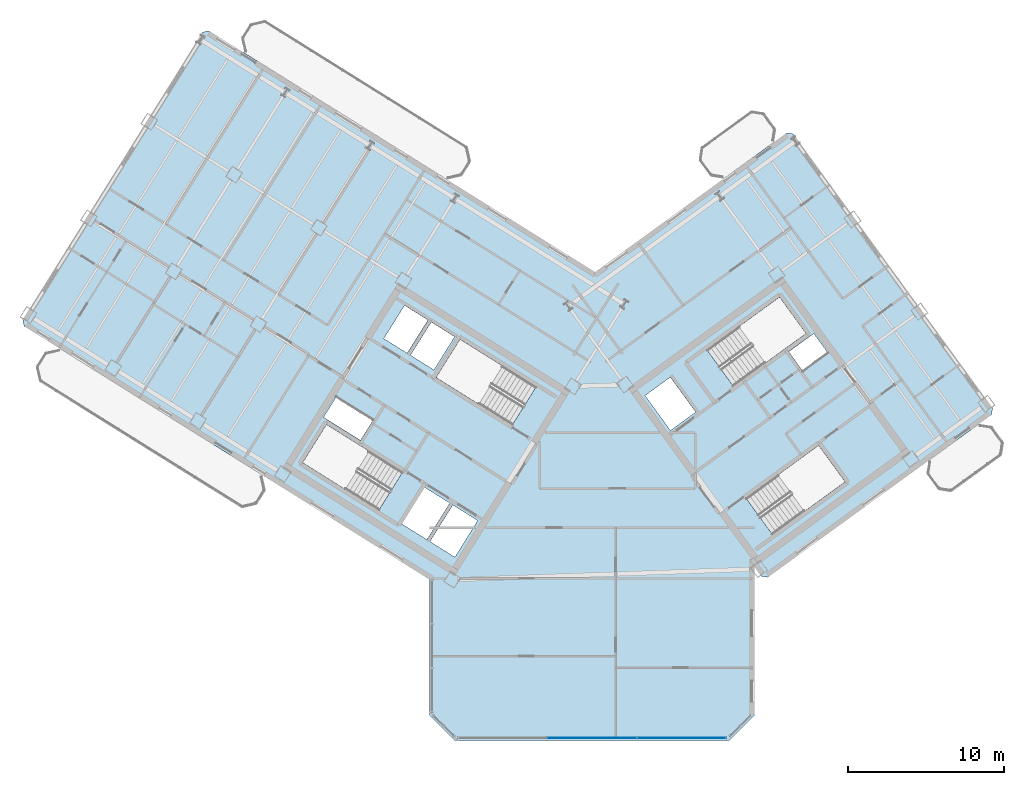
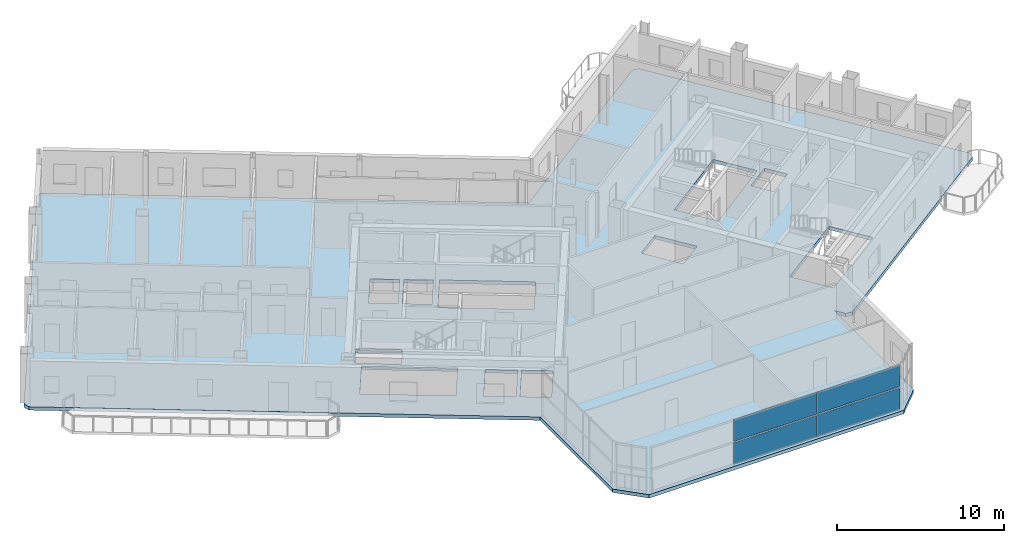
# One storey, part 9 of 20: 4 plates, 1 slab, 1 element without a shape of its own.
"""IFC4 building model written with IfcOpenShell, lengths in metres."""

from ifc_helpers import new_model, si_unit, direction, frame, origin, origin_2d, place, context, subcontext, project, spatial, polyline, rectangle, outline, extrude, source, transform, mapped, material, layer, layer_set, type_object, element, aggregate, save


model = new_model("IFC4")

# Units and contexts
model_context = context("Model", 3, precision=1e-05, world=origin(), true_north=direction((0.0, 1.0)))
body_context = subcontext(model_context, "Body", "Model", "MODEL_VIEW")
ifc_project = project(units=[si_unit("LENGTHUNIT", "METRE"), si_unit("AREAUNIT", "SQUARE_METRE"), si_unit("VOLUMEUNIT", "CUBIC_METRE"), si_unit("PLANEANGLEUNIT", "RADIAN"), si_unit("MASSUNIT", "GRAM", prefix="KILO")], contexts=[model_context])

# Site, building, storey
site_placement = place(None, origin())
site = spatial("IfcSite", under=ifc_project, at=site_placement, CompositionType="ELEMENT")
building_placement = place(site_placement, origin())
building = spatial("IfcBuilding", under=site, at=building_placement, Name="Tlacorven Tower", CompositionType="ELEMENT")
storey_placement = place(building_placement, frame((0.0, 0.0, 211.199951171875)))
storey = spatial("IfcBuildingStorey", under=building, at=storey_placement, Name="L53", CompositionType="ELEMENT", Elevation=211.199951171875)

# Slab
ifc_material_1 = material(Name="Concrete C40/50", Category="concrete")
ifc_layer_1 = layer(ifc_material_1, 0.25)
ifc_layer_set_1 = layer_set([ifc_layer_1], Name="Concrete C40/50")
slab_type = type_object("IfcSlabType", Name="SL-TWR-250", PredefinedType="FLOOR", material=ifc_layer_set_1)
slab_placement = place(storey_placement, frame((0.0, 0.0, -0.25)))
element("IfcSlab", 1, at=slab_placement, inside=storey, type_object=slab_type, Name="L53 Boomerang Tower Floor Slab", PredefinedType="FLOOR", context=body_context, shape_type="SweptSolid", body=[
    extrude(outline(polyline([(52.39990234375, 3.39990234375), (50.800048828125, 1.800048828125), (33.199951171875, 1.800048828125), (31.60009765625, 3.39990234375), (31.60009765625, 12.09423828125), (5.62451171875, 28.32568359375), (5.529052734375, 28.739013671875), (17.0390625, 47.15869140625), (17.452392578125, 47.254150390625), (42.19970703125, 31.790283203125), (54.481689453125, 40.713623046875), (54.90087890625, 40.647216796875), (67.66748046875, 23.075439453125), (67.60107421875, 22.656494140625), (53.265380859375, 12.24072265625), (52.846435546875, 12.30712890625), (52.39990234375, 12.921630859375), (52.39990234375, 3.39990234375)]), holes=[polyline([(29.865478515625, 18.979736328125), (24.9892578125, 22.02685546875), (23.463134765625, 19.58447265625), (28.33935546875, 16.537353515625), (29.865478515625, 18.979736328125)]), polyline([(38.4169921875, 24.4375), (33.540771484375, 27.484375), (32.0146484375, 25.0419921875), (36.890869140625, 21.9951171875), (38.4169921875, 24.4375)]), polyline([(51.05908203125, 24.481689453125), (55.7109375, 27.861572265625), (54.01806640625, 30.19140625), (49.3662109375, 26.811767578125), (51.05908203125, 24.481689453125)]), polyline([(53.56298828125, 14.978759765625), (58.21484375, 18.3583984375), (56.52197265625, 20.6884765625), (51.8701171875, 17.30859375), (53.56298828125, 14.978759765625)]), polyline([(34.682373046875, 15.87548828125), (33.088134765625, 16.871826171875), (31.62548828125, 14.531005859375), (33.2197265625, 13.534912109375), (34.682373046875, 15.87548828125)]), polyline([(32.884521484375, 16.9990234375), (31.2392578125, 18.02685546875), (29.77685546875, 15.686279296875), (31.421875, 14.658203125), (32.884521484375, 16.9990234375)]), polyline([(47.0234375, 21.648681640625), (48.6416015625, 22.82421875), (47.019287109375, 25.05712890625), (45.401123046875, 23.881591796875), (47.0234375, 21.648681640625)]), polyline([(33.197265625, 27.65185546875), (31.704833984375, 28.58447265625), (30.3798828125, 26.46435546875), (31.87255859375, 25.53173828125), (33.197265625, 27.65185546875)]), polyline([(31.484375, 28.722412109375), (29.99169921875, 29.655029296875), (28.6669921875, 27.534912109375), (30.159423828125, 26.602294921875), (31.484375, 28.722412109375)]), polyline([(27.96142578125, 22.2919921875), (25.603759765625, 23.76513671875), (24.80908203125, 22.4931640625), (27.16650390625, 21.02001953125), (27.96142578125, 22.2919921875)]), polyline([(55.490478515625, 25.4765625), (57.092529296875, 26.640380859375), (56.210693359375, 27.85400390625), (54.60888671875, 26.690185546875), (55.490478515625, 25.4765625)])]), origin(), (0.0, 0.0, 1.0), 0.25),
])

# Curtain wall, plates
ifc_material_2 = material(Name="Dark solar low-E double glazing in aluminium frame", Category="aluminium")
curtain_wall_type = type_object("IfcCurtainWallType", Name="CW-TWR-HIGH", PredefinedType="USERDEFINED", material=ifc_material_2)
curtain_wall_placement = place(storey_placement, origin())
curtain_wall = element("IfcCurtainWall", 2, at=curtain_wall_placement, inside=storey, type_object=curtain_wall_type, Name="L53 CW-TWR-HIGH Curtain Wall 241", ObjectType="UNITISED CURTAIN WALL", PredefinedType="USERDEFINED")
ifc_material_3 = material(Name="High-wind dark solar tempered low-E glazing", Category="glass")
ifc_layer_2 = layer(ifc_material_3, 0.028076171875)
ifc_layer_set_2 = layer_set([ifc_layer_2], Name="High-wind dark solar tempered low-E glazing")
plate_type = type_object("IfcPlateType", Name="CWP-03", PredefinedType="CURTAIN_PANEL", material=ifc_layer_set_2)
shared_shape_1 = source(origin(), body_context, "Body", "SweptSolid", [
    extrude(rectangle(XDim=5.683837890625, YDim=0.028076171875, at=origin_2d()), origin(), (0.0, 0.0, 1.0), 1.572998046875),
])
plate_1_placement = place(storey_placement, frame((47.74072265625, 1.9599609375, 0.05126953125), z_axis=(0.0, 0.0, 1.0), x_axis=(-1.0, 0.0, 0.0)))
plate_1 = element("IfcPlate", 3, at=plate_1_placement, type_object=plate_type, Name="CW-L53-241 Glazing Panel 1", PredefinedType="CURTAIN_PANEL", context=body_context, shape_type="MappedRepresentation", body=[
    mapped(shared_shape_1, transform((0.0, 0.0, 0.0), scale=1.0)),
])
plate_2_placement = place(storey_placement, frame((47.74072265625, 1.9599609375, 1.72607421875), z_axis=(0.0, 0.0, 1.0), x_axis=(-1.0, 0.0, 0.0)))
plate_2 = element("IfcPlate", 4, at=plate_2_placement, type_object=plate_type, Name="CW-L53-241 Glazing Panel 2", PredefinedType="CURTAIN_PANEL", context=body_context, shape_type="MappedRepresentation", body=[
    mapped(shared_shape_1, transform((0.0, 0.0, 0.0), scale=1.0)),
])
shared_shape_2 = source(origin(), body_context, "Body", "SweptSolid", [
    extrude(rectangle(XDim=5.7138671875, YDim=0.028076171875, at=origin_2d()), origin(), (0.0, 0.0, 1.0), 1.572998046875),
])
plate_3_placement = place(storey_placement, frame((42.0, 1.9599609375, 0.05126953125), z_axis=(0.0, 0.0, 1.0), x_axis=(-1.0, 0.0, 0.0)))
plate_3 = element("IfcPlate", 5, at=plate_3_placement, type_object=plate_type, Name="CW-L53-241 Glazing Panel 3", PredefinedType="CURTAIN_PANEL", context=body_context, shape_type="MappedRepresentation", body=[
    mapped(shared_shape_2, transform((0.0, 0.0, 0.0), scale=1.0)),
])
plate_4_placement = place(storey_placement, frame((42.0, 1.9599609375, 1.72607421875), z_axis=(0.0, 0.0, 1.0), x_axis=(-1.0, 0.0, 0.0)))
plate_4 = element("IfcPlate", 6, at=plate_4_placement, type_object=plate_type, Name="CW-L53-241 Glazing Panel 4", PredefinedType="CURTAIN_PANEL", context=body_context, shape_type="MappedRepresentation", body=[
    mapped(shared_shape_2, transform((0.0, 0.0, 0.0), scale=1.0)),
])
aggregate(curtain_wall, [plate_1, plate_2, plate_3, plate_4])

save(model, "model.ifc")
